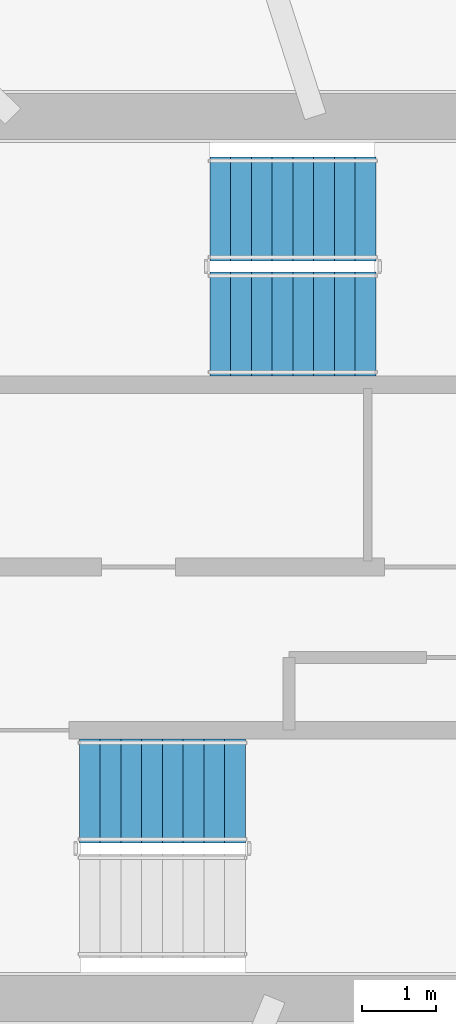
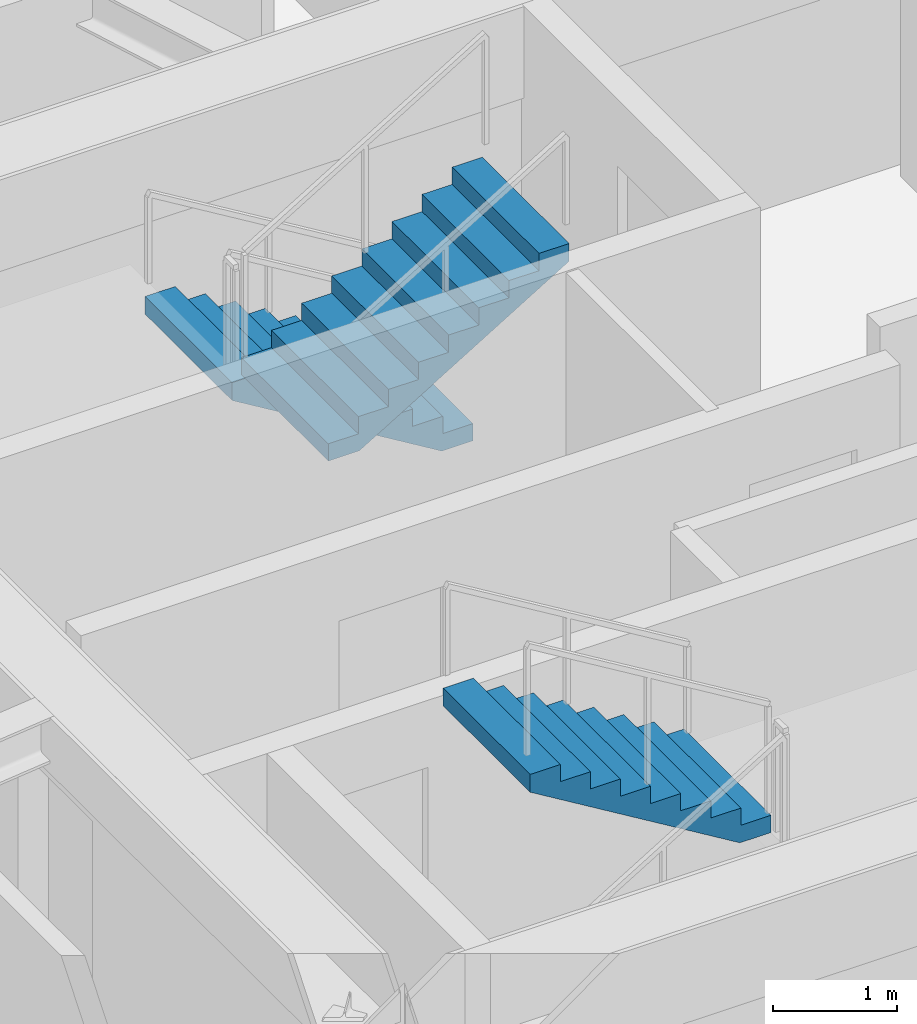
# One storey, part 17 of 23: 3 stair flights, 2 elements without a shape of their own.
"""IFC4 building model written with IfcOpenShell, lengths in metres."""

import ifcopenshell
import ifcopenshell.guid

model = None  # the IFC model being written
_history = None  # IfcOwnerHistory: only IFC2X3 demands one
_inside = {}  # id of a spatial element -> (the spatial element, [elements in it])
_under = {}  # id of a project, library or spatial element -> (it, [spatial elements below it])
_declared = {}  # id of a project -> (the project, [libraries it declares])
_typed = {}  # id of a type object -> (the type object, [elements of that type])
_made_of = {}  # id of a material, layer set ... -> (it, [elements and type objects made of it])


def new_model(schema):
    """Start an empty IFC model of exactly this schema.

    Asked for "IFC4X3", IfcOpenShell would pick the latest addendum, in which some entities
    have other attributes; the version numbers below select the first issue.
    IFC2X3 requires an IfcOwnerHistory on every rooted entity: one is made here for all.
    """
    global model, _history
    if schema == "IFC4X3":
        model = ifcopenshell.file(schema_version=(4, 3, 0, 0))
    else:
        model = ifcopenshell.file(schema=schema)
    _inside.clear()
    _under.clear()
    _declared.clear()
    _typed.clear()
    _made_of.clear()
    _history = None
    if model.schema == "IFC2X3":
        org = make("IfcOrganization", Name="unknown")
        user = make(
            "IfcPersonAndOrganization",
            ThePerson=make("IfcPerson", FamilyName="unknown"),
            TheOrganization=org,
        )
        app = make(
            "IfcApplication",
            ApplicationDeveloper=org,
            Version="unknown",
            ApplicationFullName="unknown",
            ApplicationIdentifier="unknown",
        )
        _history = make(
            "IfcOwnerHistory",
            OwningUser=user,
            OwningApplication=app,
            ChangeAction="ADDED",
            CreationDate=0,
        )
    return model


def make(cls, **values):
    """One entity of the class cls with the attributes given. An attribute that is None is left unset."""
    return model.create_entity(
        cls, **{name: value for name, value in values.items() if value is not None}
    )


def rooted(cls, **values):
    """An entity with a GlobalId (a new one), such as an element, a storey or a relation."""
    return make(cls, GlobalId=ifcopenshell.guid.new(), OwnerHistory=_history, **values)


def si_unit(unit_type, name, prefix=None):
    """IfcSIUnit, for example si_unit("LENGTHUNIT", "METRE", prefix="MILLI")."""
    return make("IfcSIUnit", UnitType=unit_type, Prefix=prefix, Name=name)


def assignment(units):
    """IfcUnitAssignment: the units of a project."""
    return None if units is None else make("IfcUnitAssignment", Units=units)


def point(xyz):
    """IfcCartesianPoint."""
    return None if xyz is None else make("IfcCartesianPoint", Coordinates=xyz)


def direction(xyz):
    """IfcDirection."""
    return None if xyz is None else make("IfcDirection", DirectionRatios=xyz)


def frame(location, z_axis=None, x_axis=None):
    """IfcAxis2Placement3D, a coordinate frame: its origin and axes. An axis left out is left unset."""
    return make(
        "IfcAxis2Placement3D",
        Location=point(location),
        Axis=direction(z_axis),
        RefDirection=direction(x_axis),
    )


def origin():
    """The frame at (0, 0, 0) with its axes left unset."""
    return frame((0.0, 0.0, 0.0))


def place(relative_to, where):
    """IfcLocalPlacement: puts the frame where relative to a parent placement (None: the world)."""
    return make(
        "IfcLocalPlacement", PlacementRelTo=relative_to, RelativePlacement=where
    )


def context(
    kind, dimensions, precision=None, world=None, true_north=None, identifier=None
):
    """IfcGeometricRepresentationContext, for example the 3D "Model" context."""
    return make(
        "IfcGeometricRepresentationContext",
        ContextIdentifier=identifier,
        ContextType=kind,
        CoordinateSpaceDimension=dimensions,
        Precision=precision,
        WorldCoordinateSystem=world,
        TrueNorth=true_north,
    )


def subcontext(parent, identifier, kind, view, scale=None):
    """IfcGeometricRepresentationSubContext, for example "Body" below "Model"."""
    return make(
        "IfcGeometricRepresentationSubContext",
        ContextIdentifier=identifier,
        ContextType=kind,
        ParentContext=parent,
        TargetScale=scale,
        TargetView=view,
    )


def project(units=None, contexts=None):
    """IfcProject with its units and contexts."""
    return rooted(
        "IfcProject",
        Name="project",
        RepresentationContexts=contexts,
        UnitsInContext=assignment(units),
    )


def spatial(cls, under=None, at=None, **own):
    """A site, building, storey or space (cls), placed at a placement, below another one or the project."""
    s = rooted(cls, ObjectPlacement=at, **own)
    if under is not None:
        _under.setdefault(under.id(), (under, []))[1].append(s)
    return s


def polyline(points):
    """IfcPolyline through the points."""
    return make("IfcPolyline", Points=[point(p) for p in points])


def outline(outer, holes=None, kind="AREA"):
    """IfcArbitraryClosedProfileDef: a profile drawn as a closed curve; with holes, ...WithVoids."""
    if holes is None:
        return make("IfcArbitraryClosedProfileDef", ProfileType=kind, OuterCurve=outer)
    return make(
        "IfcArbitraryProfileDefWithVoids",
        ProfileType=kind,
        OuterCurve=outer,
        InnerCurves=holes,
    )


def extrude(swept, where, along, depth):
    """IfcExtrudedAreaSolid: the profile swept, set in the frame where, extruded along a direction by depth."""
    return make(
        "IfcExtrudedAreaSolid",
        SweptArea=swept,
        Position=where,
        ExtrudedDirection=direction(along),
        Depth=depth,
    )


def shape(context_of_items, identifier, shape_type, items):
    """IfcShapeRepresentation: the items that make up one representation, for example the "Body"."""
    return make(
        "IfcShapeRepresentation",
        ContextOfItems=context_of_items,
        RepresentationIdentifier=identifier,
        RepresentationType=shape_type,
        Items=items,
    )


def material(Name=None, Category=None):
    """IfcMaterial."""
    return make("IfcMaterial", Name=Name, Category=Category)


def made_of(thing, what):
    """Note that an element or type object is made of a material, layer set ...; save() writes the relation."""
    if what is not None:
        _made_of.setdefault(what.id(), (what, []))[1].append(thing)
    return thing


def type_object(cls, material=None, **own):
    """A type object (cls), such as IfcWallType, which elements share."""
    return made_of(rooted(cls, **own), material)


def element(
    cls,
    number,
    at=None,
    inside=None,
    cuts=None,
    type_object=None,
    material=None,
    context=None,
    identifier="Body",
    shape_type=None,
    held_by="IfcProductDefinitionShape",
    body=None,
    shapes=None,
    **own,
):
    """One element of the class cls, such as IfcWall. Its Tag is "e" and its number.

    at: its placement. inside: the storey or other place that contains it. cuts: it is an
    opening in that element (IfcRelVoidsElement). A single representation is given by context,
    identifier, shape_type and body (its items); several are given by shapes. held_by: the class
    of the entity that holds the representations. save() writes the other relations.
    """
    e = rooted(cls, Tag="e%d" % number, ObjectPlacement=at, **own)
    if body is not None:
        shapes = [shape(context, identifier, shape_type, body)]
    if shapes is not None:
        e.Representation = make(held_by, Representations=shapes)
    if inside is not None:
        _inside.setdefault(inside.id(), (inside, []))[1].append(e)
    if cuts is not None:
        rooted(
            "IfcRelVoidsElement", RelatingBuildingElement=cuts, RelatedOpeningElement=e
        )
    if type_object is not None:
        _typed.setdefault(type_object.id(), (type_object, []))[1].append(e)
    return made_of(e, material)


def aggregate(whole, parts):
    """IfcRelAggregates: a whole, such as a stair, and the parts it consists of."""
    return rooted("IfcRelAggregates", RelatingObject=whole, RelatedObjects=parts)


def save(model, path):
    """Write the relations noted so far, then the file.

    IfcRelAggregates (storeys below a building ...), IfcRelContainedInSpatialStructure (elements
    in a storey), IfcRelDefinesByType, IfcRelAssociatesMaterial and IfcRelDeclares: one each for
    every whole, place, type object, material and project.
    """
    for whole, parts in _under.values():
        aggregate(whole, parts)
    for where, things in _inside.values():
        rooted(
            "IfcRelContainedInSpatialStructure",
            RelatedElements=things,
            RelatingStructure=where,
        )
    for kind, things in _typed.values():
        rooted("IfcRelDefinesByType", RelatedObjects=things, RelatingType=kind)
    for what, things in _made_of.values():
        rooted("IfcRelAssociatesMaterial", RelatedObjects=things, RelatingMaterial=what)
    for by, libraries in _declared.values():
        rooted("IfcRelDeclares", RelatingContext=by, RelatedDefinitions=libraries)
    model.write(path)


model = new_model("IFC4")

# Units and contexts
model_context = context("Model", 3, precision=1e-05, world=origin(), true_north=direction((0.0, 1.0)))
body_context = subcontext(model_context, "Body", "Model", "MODEL_VIEW")
ifc_project = project(units=[si_unit("LENGTHUNIT", "METRE"), si_unit("AREAUNIT", "SQUARE_METRE"), si_unit("VOLUMEUNIT", "CUBIC_METRE"), si_unit("PLANEANGLEUNIT", "RADIAN"), si_unit("MASSUNIT", "GRAM", prefix="KILO")], contexts=[model_context])

# Site, building, storey
site_placement = place(None, origin())
site = spatial("IfcSite", under=ifc_project, at=site_placement, CompositionType="ELEMENT")
building_placement = place(site_placement, origin())
building = spatial("IfcBuilding", under=site, at=building_placement, Name="Norrkilde Senior Care Towers", CompositionType="ELEMENT")
storey_placement = place(building_placement, frame((0.0, 0.0, 177.0)))
storey = spatial("IfcBuildingStorey", under=building, at=storey_placement, Name="L55", CompositionType="ELEMENT", Elevation=177.0)

# Stair, stair flights
ifc_material = material(Name="Concrete C45/55", Category="concrete")
stair_type = type_object("IfcStairType", Name="Core Protected Dogleg Stair Typical 3050", PredefinedType="HALF_TURN_STAIR", material=ifc_material)
stair_1_placement = place(storey_placement, origin())
stair_1 = element("IfcStair", 1, at=stair_1_placement, inside=storey, type_object=stair_type, Name="L55 Protected Core Stair E1", PredefinedType="HALF_TURN_STAIR")
stair_flight_type = type_object("IfcStairFlightType", Name="Core Protected Dogleg Stair Typical 3050 Flight", PredefinedType="STRAIGHT", material=ifc_material)
stair_flight_1_placement = place(storey_placement, frame((26.89990234375, 4.699951171875, 0.0), z_axis=(0.0, 0.0, 1.0), x_axis=(-1.0, 0.0, 0.0)))
stair_flight_1 = element("IfcStairFlight", 2, at=stair_flight_1_placement, type_object=stair_flight_type, Name="ST-E1 flight 1", NumberOfRisers=9, NumberOfTreads=8, PredefinedType="STRAIGHT", RiserHeight=0.169444444, TreadLength=0.28, context=body_context, shape_type="SweptSolid", body=[
    extrude(outline(polyline([(0.0, 0.0), (0.0, 0.16943359375), (0.280029296875, 0.16943359375), (0.280029296875, 0.3388671875), (0.56005859375, 0.3388671875), (0.56005859375, 0.50830078125), (0.840087890625, 0.50830078125), (0.840087890625, 0.677734375), (1.1201171875, 0.677734375), (1.1201171875, 0.84716796875), (1.39990234375, 0.84716796875), (1.39990234375, 1.0166015625), (1.679931640625, 1.0166015625), (1.679931640625, 1.18603515625), (1.9599609375, 1.18603515625), (1.9599609375, 1.35546875), (2.239990234375, 1.35546875), (2.239990234375, 1.52490234375), (2.239990234375, 1.180419921875), (0.28955078125, 0.0), (0.0, 0.0)])), frame((0.0, 0.699951171875, 0.0), z_axis=(0.0, -1.0, 0.0), x_axis=(1.0, 0.0, 0.0)), (0.0, 0.0, 1.0), 1.39990234375),
])
stair_flight_2_placement = place(storey_placement, frame((24.659912109375, 3.14990234375, 1.52490234375), z_axis=(0.0, 0.0, 1.0), x_axis=(1.0, 0.0, 0.0)))
stair_flight_2 = element("IfcStairFlight", 3, at=stair_flight_2_placement, type_object=stair_flight_type, Name="ST-E1 flight 2", NumberOfRisers=9, NumberOfTreads=8, PredefinedType="STRAIGHT", RiserHeight=0.169444444, TreadLength=0.28, context=body_context, shape_type="SweptSolid", body=[
    extrude(outline(polyline([(0.0, 0.0), (0.0, 0.16943359375), (0.280029296875, 0.16943359375), (0.280029296875, 0.3388671875), (0.56005859375, 0.3388671875), (0.56005859375, 0.50830078125), (0.840087890625, 0.50830078125), (0.840087890625, 0.677734375), (1.1201171875, 0.677734375), (1.1201171875, 0.84716796875), (1.39990234375, 0.84716796875), (1.39990234375, 1.0166015625), (1.679931640625, 1.0166015625), (1.679931640625, 1.18603515625), (1.9599609375, 1.18603515625), (1.9599609375, 1.35546875), (2.239990234375, 1.35546875), (2.239990234375, 1.52490234375), (2.239990234375, 1.180419921875), (0.28955078125, 0.0), (0.0, 0.0)])), frame((0.0, 0.699951171875, 0.0), z_axis=(0.0, -1.0, 0.0), x_axis=(1.0, 0.0, 0.0)), (0.0, 0.0, 1.0), 1.39990234375),
])
aggregate(stair_1, [stair_flight_1, stair_flight_2])

# Stair, stair flight
stair_2_placement = place(storey_placement, origin())
stair_2 = element("IfcStair", 4, at=stair_2_placement, inside=storey, type_object=stair_type, Name="L55 Protected Core Stair E2", PredefinedType="HALF_TURN_STAIR")
stair_flight_3_placement = place(storey_placement, frame((25.139892578125, -3.14990234375, 1.52490234375), z_axis=(0.0, 0.0, 1.0), x_axis=(-1.0, 0.0, 0.0)))
stair_flight_3 = element("IfcStairFlight", 5, at=stair_flight_3_placement, type_object=stair_flight_type, Name="ST-E2 flight 2", NumberOfRisers=9, NumberOfTreads=8, PredefinedType="STRAIGHT", RiserHeight=0.169444444, TreadLength=0.28, context=body_context, shape_type="SweptSolid", body=[
    extrude(outline(polyline([(0.0, 0.0), (0.0, 0.16943359375), (0.280029296875, 0.16943359375), (0.280029296875, 0.3388671875), (0.56005859375, 0.3388671875), (0.56005859375, 0.50830078125), (0.840087890625, 0.50830078125), (0.840087890625, 0.677734375), (1.1201171875, 0.677734375), (1.1201171875, 0.84716796875), (1.39990234375, 0.84716796875), (1.39990234375, 1.0166015625), (1.679931640625, 1.0166015625), (1.679931640625, 1.18603515625), (1.9599609375, 1.18603515625), (1.9599609375, 1.35546875), (2.239990234375, 1.35546875), (2.239990234375, 1.52490234375), (2.239990234375, 1.180419921875), (0.28955078125, 0.0), (0.0, 0.0)])), frame((0.0, 0.699951171875, 0.0), z_axis=(0.0, -1.0, 0.0), x_axis=(1.0, 0.0, 0.0)), (0.0, 0.0, 1.0), 1.39990234375),
])
aggregate(stair_2, [stair_flight_3])

save(model, "model.ifc")
